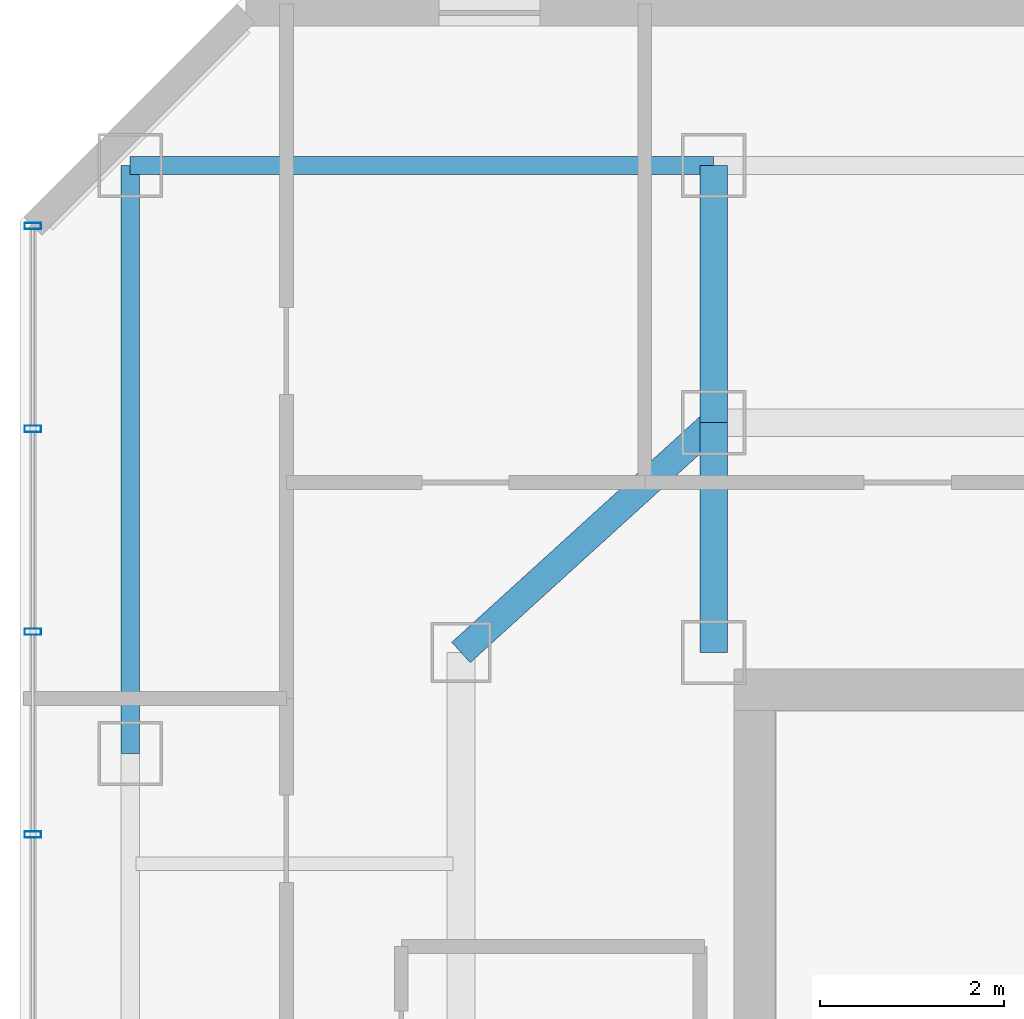
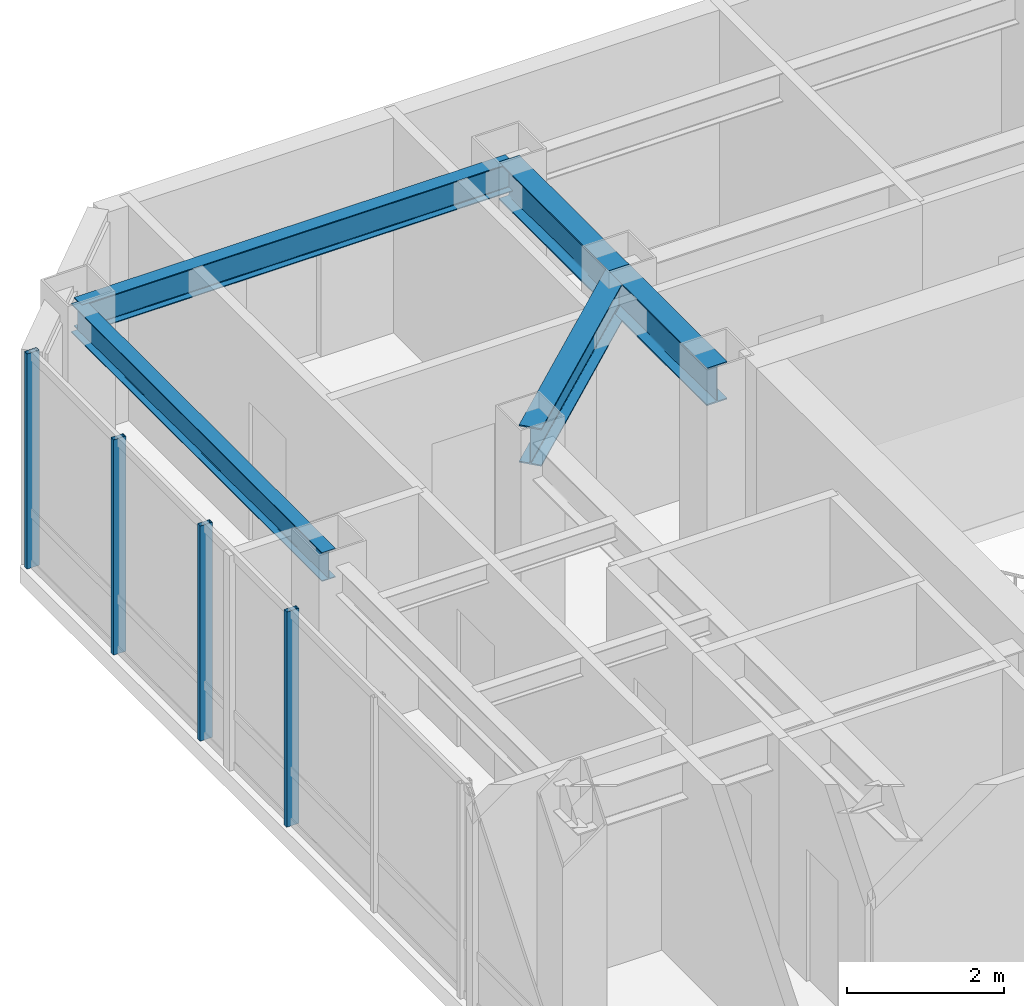
# One storey, part 15 of 25: 5 beams, 4 members, 1 element without a shape of its own.
"""IFC4 building model written with IfcOpenShell, lengths in metres."""

import ifcopenshell
import ifcopenshell.guid

model = None  # the IFC model being written
_history = None  # IfcOwnerHistory: only IFC2X3 demands one
_inside = {}  # id of a spatial element -> (the spatial element, [elements in it])
_under = {}  # id of a project, library or spatial element -> (it, [spatial elements below it])
_declared = {}  # id of a project -> (the project, [libraries it declares])
_typed = {}  # id of a type object -> (the type object, [elements of that type])
_made_of = {}  # id of a material, layer set ... -> (it, [elements and type objects made of it])


def new_model(schema):
    """Start an empty IFC model of exactly this schema.

    Asked for "IFC4X3", IfcOpenShell would pick the latest addendum, in which some entities
    have other attributes; the version numbers below select the first issue.
    IFC2X3 requires an IfcOwnerHistory on every rooted entity: one is made here for all.
    """
    global model, _history
    if schema == "IFC4X3":
        model = ifcopenshell.file(schema_version=(4, 3, 0, 0))
    else:
        model = ifcopenshell.file(schema=schema)
    _inside.clear()
    _under.clear()
    _declared.clear()
    _typed.clear()
    _made_of.clear()
    _history = None
    if model.schema == "IFC2X3":
        org = make("IfcOrganization", Name="unknown")
        user = make(
            "IfcPersonAndOrganization",
            ThePerson=make("IfcPerson", FamilyName="unknown"),
            TheOrganization=org,
        )
        app = make(
            "IfcApplication",
            ApplicationDeveloper=org,
            Version="unknown",
            ApplicationFullName="unknown",
            ApplicationIdentifier="unknown",
        )
        _history = make(
            "IfcOwnerHistory",
            OwningUser=user,
            OwningApplication=app,
            ChangeAction="ADDED",
            CreationDate=0,
        )
    return model


def make(cls, **values):
    """One entity of the class cls with the attributes given. An attribute that is None is left unset."""
    return model.create_entity(
        cls, **{name: value for name, value in values.items() if value is not None}
    )


def rooted(cls, **values):
    """An entity with a GlobalId (a new one), such as an element, a storey or a relation."""
    return make(cls, GlobalId=ifcopenshell.guid.new(), OwnerHistory=_history, **values)


def si_unit(unit_type, name, prefix=None):
    """IfcSIUnit, for example si_unit("LENGTHUNIT", "METRE", prefix="MILLI")."""
    return make("IfcSIUnit", UnitType=unit_type, Prefix=prefix, Name=name)


def assignment(units):
    """IfcUnitAssignment: the units of a project."""
    return None if units is None else make("IfcUnitAssignment", Units=units)


def point(xyz):
    """IfcCartesianPoint."""
    return None if xyz is None else make("IfcCartesianPoint", Coordinates=xyz)


def direction(xyz):
    """IfcDirection."""
    return None if xyz is None else make("IfcDirection", DirectionRatios=xyz)


def frame(location, z_axis=None, x_axis=None):
    """IfcAxis2Placement3D, a coordinate frame: its origin and axes. An axis left out is left unset."""
    return make(
        "IfcAxis2Placement3D",
        Location=point(location),
        Axis=direction(z_axis),
        RefDirection=direction(x_axis),
    )


def frame_2d(location, x_axis=None):
    """IfcAxis2Placement2D, a coordinate frame in the plane: its origin and x axis."""
    return make(
        "IfcAxis2Placement2D", Location=point(location), RefDirection=direction(x_axis)
    )


def origin():
    """The frame at (0, 0, 0) with its axes left unset."""
    return frame((0.0, 0.0, 0.0))


def origin_2d():
    """The frame at (0, 0) in the plane with its x axis left unset."""
    return frame_2d((0.0, 0.0))


def place(relative_to, where):
    """IfcLocalPlacement: puts the frame where relative to a parent placement (None: the world)."""
    return make(
        "IfcLocalPlacement", PlacementRelTo=relative_to, RelativePlacement=where
    )


def context(
    kind, dimensions, precision=None, world=None, true_north=None, identifier=None
):
    """IfcGeometricRepresentationContext, for example the 3D "Model" context."""
    return make(
        "IfcGeometricRepresentationContext",
        ContextIdentifier=identifier,
        ContextType=kind,
        CoordinateSpaceDimension=dimensions,
        Precision=precision,
        WorldCoordinateSystem=world,
        TrueNorth=true_north,
    )


def subcontext(parent, identifier, kind, view, scale=None):
    """IfcGeometricRepresentationSubContext, for example "Body" below "Model"."""
    return make(
        "IfcGeometricRepresentationSubContext",
        ContextIdentifier=identifier,
        ContextType=kind,
        ParentContext=parent,
        TargetScale=scale,
        TargetView=view,
    )


def project(units=None, contexts=None):
    """IfcProject with its units and contexts."""
    return rooted(
        "IfcProject",
        Name="project",
        RepresentationContexts=contexts,
        UnitsInContext=assignment(units),
    )


def spatial(cls, under=None, at=None, **own):
    """A site, building, storey or space (cls), placed at a placement, below another one or the project."""
    s = rooted(cls, ObjectPlacement=at, **own)
    if under is not None:
        _under.setdefault(under.id(), (under, []))[1].append(s)
    return s


def profile(cls, at=None, kind="AREA", **sizes):
    """A parametric profile (cls). Its sizes go by their IFC names, for example OverallWidth=200.0."""
    return make(cls, ProfileType=kind, Position=at, **sizes)


def hollow_rectangle(**sizes):
    """IfcRectangleHollowProfileDef."""
    return profile("IfcRectangleHollowProfileDef", **sizes)


def i_section(**sizes):
    """IfcIShapeProfileDef."""
    return profile("IfcIShapeProfileDef", **sizes)


def extrude(swept, where, along, depth):
    """IfcExtrudedAreaSolid: the profile swept, set in the frame where, extruded along a direction by depth."""
    return make(
        "IfcExtrudedAreaSolid",
        SweptArea=swept,
        Position=where,
        ExtrudedDirection=direction(along),
        Depth=depth,
    )


def shape(context_of_items, identifier, shape_type, items):
    """IfcShapeRepresentation: the items that make up one representation, for example the "Body"."""
    return make(
        "IfcShapeRepresentation",
        ContextOfItems=context_of_items,
        RepresentationIdentifier=identifier,
        RepresentationType=shape_type,
        Items=items,
    )


def material(Name=None, Category=None):
    """IfcMaterial."""
    return make("IfcMaterial", Name=Name, Category=Category)


def layer(
    of_material, thickness, ventilated=None, Name=None, Category=None, Priority=None
):
    """IfcMaterialLayer: one layer of a wall or slab, of a material (None: an air gap)."""
    return make(
        "IfcMaterialLayer",
        Material=of_material,
        LayerThickness=thickness,
        IsVentilated=ventilated,
        Name=Name,
        Category=Category,
        Priority=Priority,
    )


def layer_set(layers, Name=None):
    """IfcMaterialLayerSet."""
    return make("IfcMaterialLayerSet", MaterialLayers=layers, LayerSetName=Name)


def material_profile(
    of_material, cross_section, Name=None, Category=None, Priority=None
):
    """IfcMaterialProfile: a cross section and its material."""
    return make(
        "IfcMaterialProfile",
        Name=Name,
        Material=of_material,
        Profile=cross_section,
        Priority=Priority,
        Category=Category,
    )


def profile_set(profiles, Name=None, composite=None):
    """IfcMaterialProfileSet."""
    return make(
        "IfcMaterialProfileSet",
        Name=Name,
        MaterialProfiles=profiles,
        CompositeProfile=composite,
    )


def made_of(thing, what):
    """Note that an element or type object is made of a material, layer set ...; save() writes the relation."""
    if what is not None:
        _made_of.setdefault(what.id(), (what, []))[1].append(thing)
    return thing


def type_object(cls, material=None, **own):
    """A type object (cls), such as IfcWallType, which elements share."""
    return made_of(rooted(cls, **own), material)


def element(
    cls,
    number,
    at=None,
    inside=None,
    cuts=None,
    type_object=None,
    material=None,
    context=None,
    identifier="Body",
    shape_type=None,
    held_by="IfcProductDefinitionShape",
    body=None,
    shapes=None,
    **own,
):
    """One element of the class cls, such as IfcWall. Its Tag is "e" and its number.

    at: its placement. inside: the storey or other place that contains it. cuts: it is an
    opening in that element (IfcRelVoidsElement). A single representation is given by context,
    identifier, shape_type and body (its items); several are given by shapes. held_by: the class
    of the entity that holds the representations. save() writes the other relations.
    """
    e = rooted(cls, Tag="e%d" % number, ObjectPlacement=at, **own)
    if body is not None:
        shapes = [shape(context, identifier, shape_type, body)]
    if shapes is not None:
        e.Representation = make(held_by, Representations=shapes)
    if inside is not None:
        _inside.setdefault(inside.id(), (inside, []))[1].append(e)
    if cuts is not None:
        rooted(
            "IfcRelVoidsElement", RelatingBuildingElement=cuts, RelatedOpeningElement=e
        )
    if type_object is not None:
        _typed.setdefault(type_object.id(), (type_object, []))[1].append(e)
    return made_of(e, material)


def aggregate(whole, parts):
    """IfcRelAggregates: a whole, such as a stair, and the parts it consists of."""
    return rooted("IfcRelAggregates", RelatingObject=whole, RelatedObjects=parts)


def save(model, path):
    """Write the relations noted so far, then the file.

    IfcRelAggregates (storeys below a building ...), IfcRelContainedInSpatialStructure (elements
    in a storey), IfcRelDefinesByType, IfcRelAssociatesMaterial and IfcRelDeclares: one each for
    every whole, place, type object, material and project.
    """
    for whole, parts in _under.values():
        aggregate(whole, parts)
    for where, things in _inside.values():
        rooted(
            "IfcRelContainedInSpatialStructure",
            RelatedElements=things,
            RelatingStructure=where,
        )
    for kind, things in _typed.values():
        rooted("IfcRelDefinesByType", RelatedObjects=things, RelatingType=kind)
    for what, things in _made_of.values():
        rooted("IfcRelAssociatesMaterial", RelatedObjects=things, RelatingMaterial=what)
    for by, libraries in _declared.values():
        rooted("IfcRelDeclares", RelatingContext=by, RelatedDefinitions=libraries)
    model.write(path)


model = new_model("IFC4")

# Units and contexts
model_context = context("Model", 3, precision=1e-05, world=origin(), true_north=direction((0.0, 1.0)))
body_context = subcontext(model_context, "Body", "Model", "MODEL_VIEW")
ifc_project = project(units=[si_unit("LENGTHUNIT", "METRE"), si_unit("AREAUNIT", "SQUARE_METRE"), si_unit("VOLUMEUNIT", "CUBIC_METRE"), si_unit("PLANEANGLEUNIT", "RADIAN"), si_unit("MASSUNIT", "GRAM", prefix="KILO")], contexts=[model_context])

# Site, building, storey
site_placement = place(None, origin())
site = spatial("IfcSite", under=ifc_project, at=site_placement, CompositionType="ELEMENT")
building_placement = place(site_placement, origin())
building = spatial("IfcBuilding", under=site, at=building_placement, Name="Hatsunagi Terrace Concourse", CompositionType="ELEMENT")
storey_placement = place(building_placement, frame((0.0, 0.0, 223.949951171875)))
storey = spatial("IfcBuildingStorey", under=building, at=storey_placement, Name="L59", CompositionType="ELEMENT", Elevation=223.949951171875)

# Curtain wall, members
ifc_material_1 = material(Name="Anodised Aluminium Alloy 6063-T5", Category="aluminium")
ifc_layer = layer(ifc_material_1, 0.199951171875)
ifc_layer_set = layer_set([ifc_layer], Name="OfficeZone2_CW04")
curtain_wall_type = type_object("IfcCurtainWallType", Name="OfficeZone2_CW04", PredefinedType="NOTDEFINED", material=ifc_layer_set)
curtain_wall_placement = place(storey_placement, origin())
curtain_wall = element("IfcCurtainWall", 1, at=curtain_wall_placement, inside=storey, type_object=curtain_wall_type, Name="Unitised Curtain Wall CW-04 CW-L59-08", PredefinedType="NOTDEFINED")
ifc_material_2 = material(Name="Anodised Aluminium Alloy 6063-T5", Category="aluminium")
ifc_material_profile_1 = material_profile(ifc_material_2, hollow_rectangle(XDim=0.070068359375, YDim=0.179931640625, WallThickness=0.00390625, at=origin_2d()), Name="ALU-MUL-180x70x4")
ifc_profile_set_1 = profile_set([ifc_material_profile_1], Name="Anodised Aluminium Alloy 6063-T5")
member_type = type_object("IfcMemberType", Name="CurtainWallMullion_180x70", PredefinedType="MULLION", material=ifc_profile_set_1)
member_1_placement = place(storey_placement, frame((18.139892578125, 41.31689453125, 0.0), z_axis=(0.0, 0.0, 1.0), x_axis=(0.0, 1.0, 0.0)))
member_1 = element("IfcMember", 2, at=member_1_placement, type_object=member_type, Name="Curtain Wall Mullion MUL-02", PredefinedType="MULLION", context=body_context, shape_type="SweptSolid", body=[
    extrude(hollow_rectangle(XDim=0.070068359375, YDim=0.179931640625, WallThickness=0.00390625, at=origin_2d()), origin(), (0.0, 0.0, 1.0), 3.35009765625),
])
member_2_placement = place(storey_placement, frame((18.139892578125, 43.52490234375, 0.0), z_axis=(0.0, 0.0, 1.0), x_axis=(0.0, 1.0, 0.0)))
member_2 = element("IfcMember", 3, at=member_2_placement, type_object=member_type, Name="Curtain Wall Mullion MUL-02", PredefinedType="MULLION", context=body_context, shape_type="SweptSolid", body=[
    extrude(hollow_rectangle(XDim=0.070068359375, YDim=0.179931640625, WallThickness=0.00390625, at=origin_2d()), origin(), (0.0, 0.0, 1.0), 3.35009765625),
])
member_3_placement = place(storey_placement, frame((18.139892578125, 45.73388671875, 0.0), z_axis=(0.0, 0.0, 1.0), x_axis=(0.0, 1.0, 0.0)))
member_3 = element("IfcMember", 4, at=member_3_placement, type_object=member_type, Name="Curtain Wall Mullion MUL-02", PredefinedType="MULLION", context=body_context, shape_type="SweptSolid", body=[
    extrude(hollow_rectangle(XDim=0.070068359375, YDim=0.179931640625, WallThickness=0.00390625, at=origin_2d()), origin(), (0.0, 0.0, 1.0), 3.35009765625),
])
member_4_placement = place(storey_placement, frame((18.139892578125, 47.94189453125, 0.0), z_axis=(0.0, 0.0, 1.0), x_axis=(0.0, 1.0, 0.0)))
member_4 = element("IfcMember", 5, at=member_4_placement, type_object=member_type, Name="Curtain Wall Mullion MUL-02", PredefinedType="MULLION", context=body_context, shape_type="SweptSolid", body=[
    extrude(hollow_rectangle(XDim=0.070068359375, YDim=0.179931640625, WallThickness=0.00390625, at=origin_2d()), origin(), (0.0, 0.0, 1.0), 3.35009765625),
])
aggregate(curtain_wall, [member_1, member_2, member_3, member_4])

# Beams
ifc_material_3 = material(Name="Steel SN490B", Category="steel")
ifc_material_profile_2 = material_profile(ifc_material_3, i_section(OverallWidth=0.300048828125, OverallDepth=0.587890625, WebThickness=0.011962890625, FlangeThickness=0.02001953125, FilletRadius=0.01806640625, at=origin_2d()), Name="H-588x300x12x20")
ifc_profile_set_2 = profile_set([ifc_material_profile_2], Name="Steel SN490B")
beam_type_1 = type_object("IfcBeamType", Name="OfficeHighGirder_H_588x300", PredefinedType="BEAM", material=ifc_profile_set_2)
beam_1_placement = place(storey_placement, frame((25.550048828125, 43.300048828125, 3.05615234375), z_axis=(0.0, 1.0, 0.0), x_axis=(-1.0, 0.0, 0.0)))
element("IfcBeam", 6, at=beam_1_placement, inside=storey, type_object=beam_type_1, Name="Beam G-06 BM-L59-CN1", PredefinedType="BEAM", context=body_context, shape_type="SweptSolid", body=[
    extrude(i_section(OverallWidth=0.300048828125, OverallDepth=0.587890625, WebThickness=0.011962890625, FlangeThickness=0.02001953125, FilletRadius=0.01806640625, at=origin_2d()), origin(), (0.0, 0.0, 1.0), 2.5),
])
beam_2_placement = place(storey_placement, frame((25.550048828125, 45.800048828125, 3.05615234375), z_axis=(0.0, 1.0, 0.0), x_axis=(-1.0, 0.0, 0.0)))
element("IfcBeam", 7, at=beam_2_placement, inside=storey, type_object=beam_type_1, Name="Beam G-06 BM-L59-KN-WN4", PredefinedType="BEAM", context=body_context, shape_type="SweptSolid", body=[
    extrude(i_section(OverallWidth=0.300048828125, OverallDepth=0.587890625, WebThickness=0.011962890625, FlangeThickness=0.02001953125, FilletRadius=0.01806640625, at=origin_2d()), origin(), (0.0, 0.0, 1.0), 2.800048828125),
])
beam_3_placement = place(storey_placement, frame((22.800048828125, 43.300048828125, 3.05615234375), z_axis=(0.739940073396, 0.672672793996, 0.0), x_axis=(-0.672672793996, 0.739940073396, 0.0)))
element("IfcBeam", 8, at=beam_3_placement, inside=storey, type_object=beam_type_1, Name="Beam G-06 BM-L59-CWEW-N", PredefinedType="BEAM", context=body_context, shape_type="SweptSolid", body=[
    extrude(i_section(OverallWidth=0.300048828125, OverallDepth=0.587890625, WebThickness=0.011962890625, FlangeThickness=0.02001953125, FilletRadius=0.01806640625, at=origin_2d()), origin(), (0.0, 0.0, 1.0), 3.716552734375),
])
ifc_material_4 = material(Name="Steel SN490B", Category="steel")
ifc_material_profile_3 = material_profile(ifc_material_4, i_section(OverallWidth=0.199951171875, OverallDepth=0.449951171875, WebThickness=0.009033203125, FlangeThickness=0.013916015625, FilletRadius=0.01611328125, at=origin_2d()), Name="H-450x200x9x14")
ifc_profile_set_3 = profile_set([ifc_material_profile_3], Name="Steel SN490B")
beam_type_2 = type_object("IfcBeamType", Name="PerimeterSpandrel_H_450x200", PredefinedType="SPANDREL", material=ifc_profile_set_3)
beam_4_placement = place(storey_placement, frame((19.199951171875, 48.60009765625, 3.125), z_axis=(1.0, 0.0, 0.0), x_axis=(0.0, 1.0, 0.0)))
element("IfcBeam", 9, at=beam_4_placement, inside=storey, type_object=beam_type_2, Name="Beam SP-02 BM-L59-WN-19", PredefinedType="SPANDREL", context=body_context, shape_type="SweptSolid", body=[
    extrude(i_section(OverallWidth=0.199951171875, OverallDepth=0.449951171875, WebThickness=0.009033203125, FlangeThickness=0.013916015625, FilletRadius=0.01611328125, at=origin_2d()), origin(), (0.0, 0.0, 1.0), 6.35009765625),
])
beam_5_placement = place(storey_placement, frame((19.199951171875, 42.199951171875, 3.125), z_axis=(0.0, 1.0, 0.0), x_axis=(-1.0, 0.0, 0.0)))
element("IfcBeam", 10, at=beam_5_placement, inside=storey, type_object=beam_type_2, Name="Beam SP-02 BM-L59-NS-19-42", PredefinedType="SPANDREL", context=body_context, shape_type="SweptSolid", body=[
    extrude(i_section(OverallWidth=0.199951171875, OverallDepth=0.449951171875, WebThickness=0.009033203125, FlangeThickness=0.013916015625, FilletRadius=0.01611328125, at=origin_2d()), origin(), (0.0, 0.0, 1.0), 6.400146484375),
])

save(model, "model.ifc")
